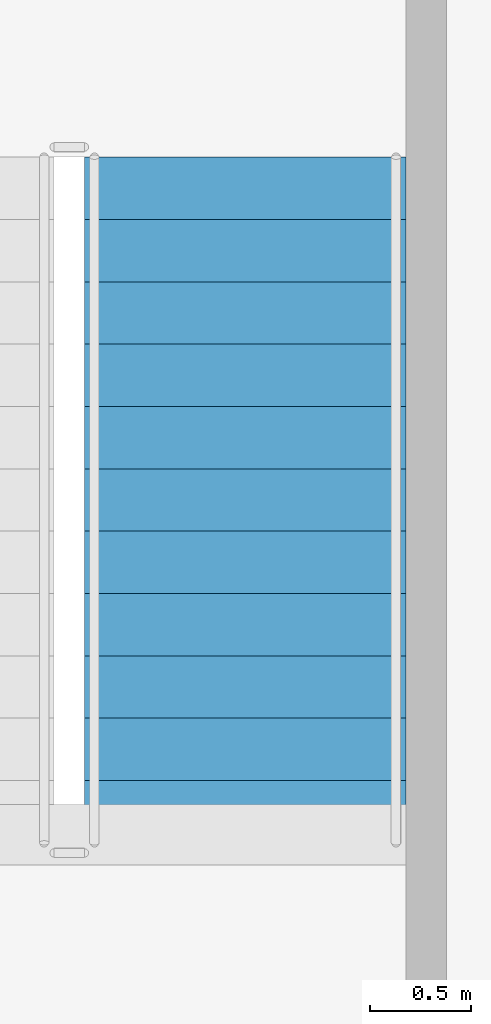
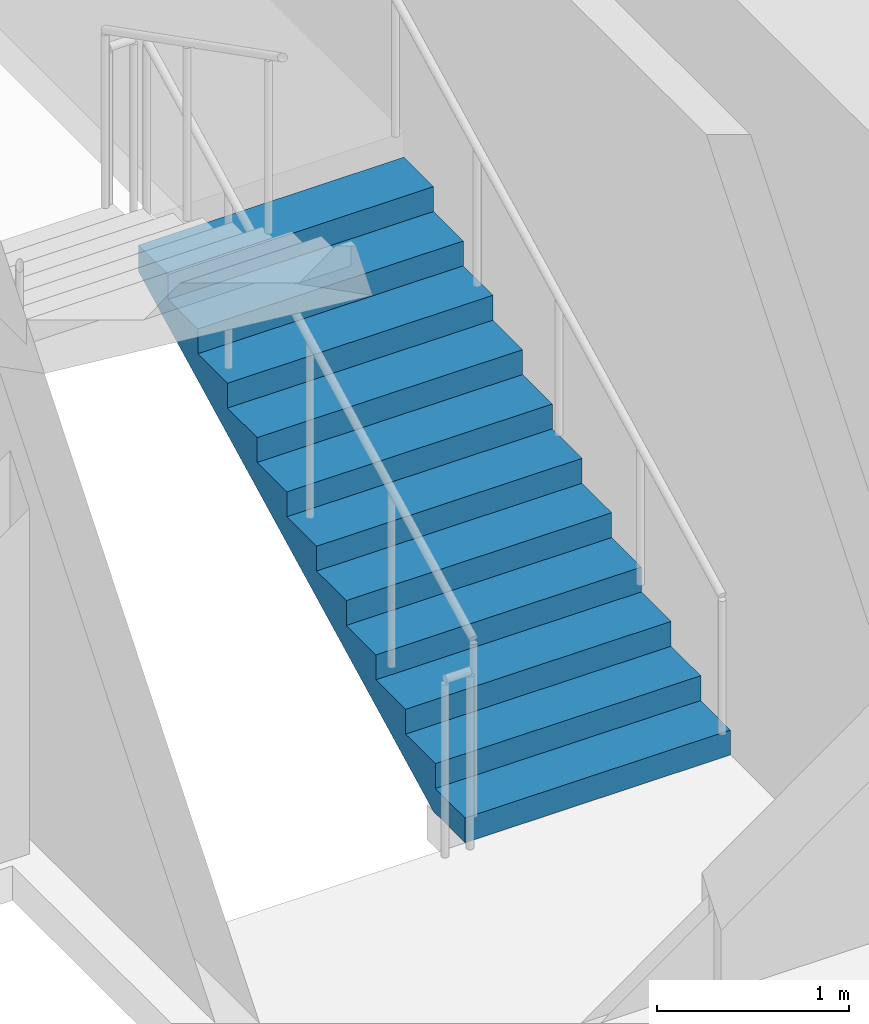
# One storey, part 13 of 17: 1 stair flight, 1 element without a shape of its own.
"""IFC4 building model written with IfcOpenShell, lengths in metres."""

from ifc_helpers import new_model, si_unit, direction, frame, origin, place, context, subcontext, project, spatial, polyline, outline, extrude, material, type_object, element, aggregate, save


model = new_model("IFC4")

# Units and contexts
model_context = context("Model", 3, precision=1e-05, world=origin(), true_north=direction((0.0, 1.0)))
body_context = subcontext(model_context, "Body", "Model", "MODEL_VIEW")
ifc_project = project(units=[si_unit("LENGTHUNIT", "METRE"), si_unit("AREAUNIT", "SQUARE_METRE"), si_unit("VOLUMEUNIT", "CUBIC_METRE"), si_unit("PLANEANGLEUNIT", "RADIAN"), si_unit("MASSUNIT", "GRAM", prefix="KILO")], contexts=[model_context])

# Site, building, storey
site_placement = place(None, origin())
site = spatial("IfcSite", under=ifc_project, at=site_placement, CompositionType="ELEMENT")
building_placement = place(site_placement, origin())
building = spatial("IfcBuilding", under=site, at=building_placement, Name="Vaeldorn Concourse Tower", CompositionType="ELEMENT")
storey_placement = place(building_placement, frame((0.0, 0.0, 230.800048828125)))
storey = spatial("IfcBuildingStorey", under=building, at=storey_placement, Name="L59", CompositionType="ELEMENT", Elevation=230.800048828125)

# Stair, stair flight
ifc_material = material(Name="Precast concrete C40/50", Category="concrete")
stair_type = type_object("IfcStairType", Name="STR-DOG-24x158", PredefinedType="HALF_TURN_STAIR", material=ifc_material)
stair_placement = place(storey_placement, origin())
stair = element("IfcStair", 1, at=stair_placement, inside=storey, type_object=stair_type, Name="L59 East Core Exit Stair ST-2", PredefinedType="HALF_TURN_STAIR")
stair_flight_type = type_object("IfcStairFlightType", Name="STF-STR-12x158", PredefinedType="STRAIGHT", material=ifc_material)
stair_flight_placement = place(storey_placement, frame((52.14990234375, 41.60009765625, 0.0), z_axis=(0.0, 0.0, 1.0), x_axis=(0.0, 1.0, 0.0)))
stair_flight = element("IfcStairFlight", 2, at=stair_flight_placement, type_object=stair_flight_type, Name="ST-2 flight 1", NumberOfRisers=12, NumberOfTreads=11, PredefinedType="STRAIGHT", RiserHeight=0.158333333, TreadLength=0.31, context=body_context, shape_type="SweptSolid", body=[
    extrude(outline(polyline([(0.0, 0.0), (0.0, 0.158447265625), (0.31005859375, 0.158447265625), (0.31005859375, 0.316650390625), (0.6201171875, 0.316650390625), (0.6201171875, 0.47509765625), (0.929931640625, 0.47509765625), (0.929931640625, 0.63330078125), (1.239990234375, 0.63330078125), (1.239990234375, 0.791748046875), (1.550048828125, 0.791748046875), (1.550048828125, 0.949951171875), (1.860107421875, 0.949951171875), (1.860107421875, 1.1083984375), (2.169921875, 1.1083984375), (2.169921875, 1.2666015625), (2.47998046875, 1.2666015625), (2.47998046875, 1.425048828125), (2.7900390625, 1.425048828125), (2.7900390625, 1.583251953125), (3.10009765625, 1.583251953125), (3.10009765625, 1.74169921875), (3.409912109375, 1.74169921875), (3.409912109375, 1.89990234375), (3.409912109375, 1.5732421875), (0.32958984375, 0.0), (0.0, 0.0)])), frame((0.0, 0.800048828125, 0.0), z_axis=(0.0, -1.0, 0.0), x_axis=(1.0, 0.0, 0.0)), (0.0, 0.0, 1.0), 1.60009765625),
])
aggregate(stair, [stair_flight])

save(model, "model.ifc")
